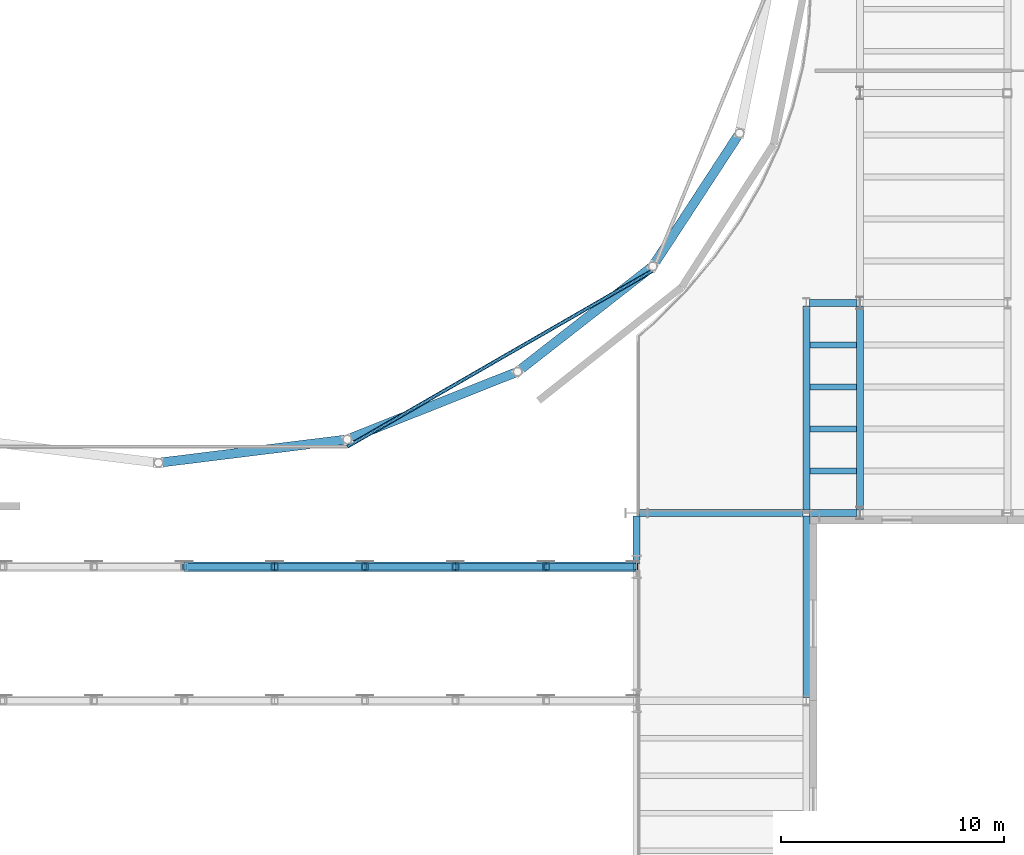
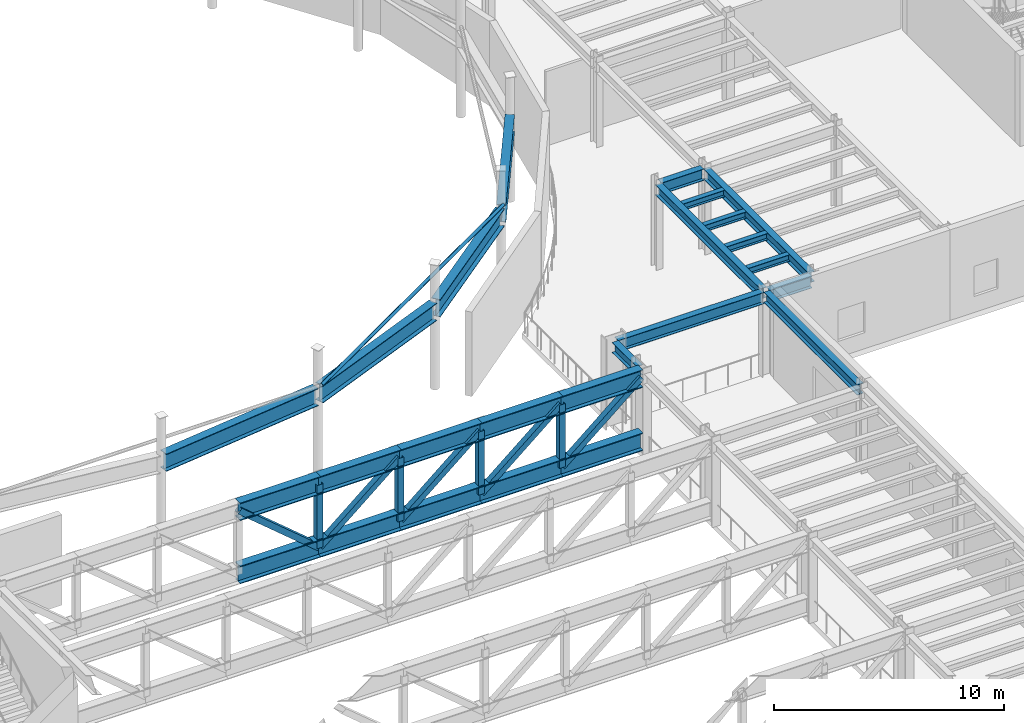
# One storey, part 31 of 91: 25 beams, 10 members.
"""IFC4 building model written with IfcOpenShell, lengths in metres."""

from ifc_helpers import new_model, si_unit, direction, frame, origin, origin_2d, place, context, subcontext, project, spatial, hollow_rectangle, hollow_circle, i_section, extrude, material, material_profile, profile_set, type_object, element, save


model = new_model("IFC4")

# Units and contexts
model_context = context("Model", 3, precision=1e-05, world=origin(), true_north=direction((0.0, 1.0)))
body_context = subcontext(model_context, "Body", "Model", "MODEL_VIEW")
ifc_project = project(units=[si_unit("LENGTHUNIT", "METRE"), si_unit("AREAUNIT", "SQUARE_METRE"), si_unit("VOLUMEUNIT", "CUBIC_METRE"), si_unit("PLANEANGLEUNIT", "RADIAN"), si_unit("MASSUNIT", "GRAM", prefix="KILO")], contexts=[model_context])

# Site, building, storey
site_placement = place(None, origin())
site = spatial("IfcSite", under=ifc_project, at=site_placement, CompositionType="ELEMENT")
building_placement = place(site_placement, origin())
building = spatial("IfcBuilding", under=site, at=building_placement, Name="Sollismere Congress Hotel", CompositionType="ELEMENT")
storey_placement = place(building_placement, frame((0.0, 0.0, 10.800048828125)))
storey = spatial("IfcBuildingStorey", under=building, at=storey_placement, Name="L02", CompositionType="ELEMENT", Elevation=10.800048828125)

# Beams
ifc_material_1 = material(Name="Steel ASTM A992 Grade 50", Category="steel")
ifc_material_profile_1 = material_profile(ifc_material_1, i_section(OverallWidth=0.31494140625, OverallDepth=0.551025390625, WebThickness=0.01513671875, FlangeThickness=0.0244140625, at=origin_2d()), Name="W21X122")
ifc_profile_set_1 = profile_set([ifc_material_profile_1], Name="Steel ASTM A992 Grade 50")
beam_type_1 = type_object("IfcBeamType", Name="BM-G21H", PredefinedType="BEAM", material=ifc_profile_set_1)
beam_1_placement = place(storey_placement, frame((50.39990234375, 64.5400390625, 4.224365234375), z_axis=(0.0, 1.0, 0.0), x_axis=(-1.0, 0.0, 0.0)))
element("IfcBeam", 1, at=beam_1_placement, inside=storey, type_object=beam_type_1, Name="Beam BM-L02-2077", PredefinedType="BEAM", context=body_context, shape_type="SweptSolid", body=[
    extrude(i_section(OverallWidth=0.31494140625, OverallDepth=0.551025390625, WebThickness=0.01513671875, FlangeThickness=0.0244140625, at=origin_2d()), origin(), (0.0, 0.0, 1.0), 2.119873046875),
])
beam_2_placement = place(storey_placement, frame((58.0, 58.5400390625, 4.224365234375), z_axis=(0.0, 1.0, 0.0), x_axis=(-1.0, 0.0, 0.0)))
element("IfcBeam", 2, at=beam_2_placement, inside=storey, type_object=beam_type_1, Name="Beam BM-L02-2083", PredefinedType="BEAM", context=body_context, shape_type="SweptSolid", body=[
    extrude(i_section(OverallWidth=0.31494140625, OverallDepth=0.551025390625, WebThickness=0.01513671875, FlangeThickness=0.0244140625, at=origin_2d()), origin(), (0.0, 0.0, 1.0), 8.119873046875),
])
for number, where, z_axis, x_axis, name in (
    (3, (58.0, 66.93994140625, 4.224365234375), (0.0, 1.0, 0.0), (-1.0, 0.0, 0.0), "Beam BM-L02-2084"),
    (4, (60.39990234375, 66.93994140625, 4.224365234375), (0.0, 1.0, 0.0), (-1.0, 0.0, 0.0), "Beam BM-L02-2085"),
):
    element("IfcBeam", number, at=place(storey_placement, frame(where, z_axis=z_axis, x_axis=x_axis)), inside=storey, type_object=beam_type_1, Name=name, PredefinedType="BEAM", context=body_context, shape_type="SweptSolid", body=[
        extrude(i_section(OverallWidth=0.31494140625, OverallDepth=0.551025390625, WebThickness=0.01513671875, FlangeThickness=0.0244140625, at=origin_2d()), origin(), (0.0, 0.0, 1.0), 9.1201171875),
    ])
ifc_material_profile_2 = material_profile(ifc_material_1, i_section(OverallWidth=0.324951171875, OverallDepth=0.612060546875, WebThickness=0.0126953125, FlangeThickness=0.01904296875, at=origin_2d()), Name="W24X104")
ifc_profile_set_2 = profile_set([ifc_material_profile_2], Name="Steel ASTM A992 Grade 50")
beam_type_2 = type_object("IfcBeamType", Name="BM-G24", PredefinedType="BEAM", material=ifc_profile_set_2)
beam_3_placement = place(storey_placement, frame((50.5400390625, 66.800048828125, 4.19384765625), z_axis=(1.0, 0.0, 0.0), x_axis=(0.0, 1.0, 0.0)))
element("IfcBeam", 5, at=beam_3_placement, inside=storey, type_object=beam_type_2, Name="Beam BM-L02-2023", PredefinedType="BEAM", context=body_context, shape_type="SweptSolid", body=[
    extrude(i_section(OverallWidth=0.324951171875, OverallDepth=0.612060546875, WebThickness=0.0126953125, FlangeThickness=0.01904296875, at=origin_2d()), origin(), (0.0, 0.0, 1.0), 7.320068359375),
])
for number, where, z_axis, x_axis, name in (
    (6, (58.139892578125, 66.800048828125, 4.19384765625), (1.0, 0.0, 0.0), (0.0, 1.0, 0.0), "Beam BM-L02-2024"),
    (7, (58.139892578125, 76.199951171875, 4.19384765625), (1.0, 0.0, 0.0), (0.0, 1.0, 0.0), "Beam BM-L02-2032"),
):
    element("IfcBeam", number, at=place(storey_placement, frame(where, z_axis=z_axis, x_axis=x_axis)), inside=storey, type_object=beam_type_2, Name=name, PredefinedType="BEAM", context=body_context, shape_type="SweptSolid", body=[
        extrude(i_section(OverallWidth=0.324951171875, OverallDepth=0.612060546875, WebThickness=0.0126953125, FlangeThickness=0.01904296875, at=origin_2d()), origin(), (0.0, 0.0, 1.0), 2.1201171875),
    ])
ifc_material_profile_3 = material_profile(ifc_material_1, i_section(OverallWidth=0.25390625, OverallDepth=0.35595703125, WebThickness=0.010498046875, FlangeThickness=0.018310546875, at=origin_2d()), Name="W14X68")
ifc_profile_set_3 = profile_set([ifc_material_profile_3], Name="Steel ASTM A992 Grade 50")
beam_type_3 = type_object("IfcBeamType", Name="BM-J14", PredefinedType="JOIST", material=ifc_profile_set_3)
for number, where, z_axis, x_axis, name in (
    (8, (58.157470703125, 68.679931640625, 4.322021484375), (1.0, 0.0, 0.0), (0.0, 1.0, 0.0), "Beam BM-L02-2190"),
    (9, (58.157470703125, 70.56005859375, 4.322021484375), (1.0, 0.0, 0.0), (0.0, 1.0, 0.0), "Beam BM-L02-2191"),
    (10, (58.157470703125, 72.43994140625, 4.322021484375), (1.0, 0.0, 0.0), (0.0, 1.0, 0.0), "Beam BM-L02-2192"),
    (11, (58.157470703125, 74.320068359375, 4.322021484375), (1.0, 0.0, 0.0), (0.0, 1.0, 0.0), "Beam BM-L02-2193"),
):
    element("IfcBeam", number, at=place(storey_placement, frame(where, z_axis=z_axis, x_axis=x_axis)), inside=storey, type_object=beam_type_3, Name=name, PredefinedType="JOIST", context=body_context, shape_type="SweptSolid", body=[
        extrude(i_section(OverallWidth=0.25390625, OverallDepth=0.35595703125, WebThickness=0.010498046875, FlangeThickness=0.018310546875, at=origin_2d()), origin(), (0.0, 0.0, 1.0), 2.0849609375),
    ])
ifc_material_profile_4 = material_profile(ifc_material_1, i_section(OverallWidth=0.4189453125, OverallDepth=0.927001953125, WebThickness=0.019287109375, FlangeThickness=0.031982421875, at=origin_2d()), Name="W36X231")
ifc_profile_set_4 = profile_set([ifc_material_profile_4], Name="Steel ASTM A992 Grade 50")
beam_type_4 = type_object("IfcBeamType", Name="BM-RG36", PredefinedType="SPANDREL", material=ifc_profile_set_4)
beam_4_placement = place(storey_placement, frame((29.119140625, 69.064697265625, 4.156494140625), z_axis=(0.992444891413, 0.122691228327, 0.0), x_axis=(-0.122691228327, 0.992444891413, 0.0)))
element("IfcBeam", 12, at=beam_4_placement, inside=storey, type_object=beam_type_4, Name="Beam BM-L02-4221", PredefinedType="SPANDREL", context=body_context, shape_type="SweptSolid", body=[
    extrude(i_section(OverallWidth=0.4189453125, OverallDepth=0.927001953125, WebThickness=0.019287109375, FlangeThickness=0.031982421875, at=origin_2d()), origin(), (0.0, 0.0, 1.0), 8.27587890625),
])
beam_5_placement = place(storey_placement, frame((37.56298828125, 70.139404296875, 4.156494140625), z_axis=(0.929208384376, 0.369556191134, 0.0), x_axis=(-0.369556191134, 0.929208384376, 0.0)))
element("IfcBeam", 13, at=beam_5_placement, inside=storey, type_object=beam_type_4, Name="Beam BM-L02-4222", PredefinedType="SPANDREL", context=body_context, shape_type="SweptSolid", body=[
    extrude(i_section(OverallWidth=0.4189453125, OverallDepth=0.927001953125, WebThickness=0.019287109375, FlangeThickness=0.031982421875, at=origin_2d()), origin(), (0.0, 0.0, 1.0), 7.96533203125),
])
beam_6_placement = place(storey_placement, frame((45.17041015625, 73.201416015625, 4.156494140625), z_axis=(0.788263734949, 0.615337536775, 0.0), x_axis=(-0.615337536775, 0.788263734949, 0.0)))
element("IfcBeam", 14, at=beam_6_placement, inside=storey, type_object=beam_type_4, Name="Beam BM-L02-4223", PredefinedType="SPANDREL", context=body_context, shape_type="SweptSolid", body=[
    extrude(i_section(OverallWidth=0.4189453125, OverallDepth=0.927001953125, WebThickness=0.019287109375, FlangeThickness=0.031982421875, at=origin_2d()), origin(), (0.0, 0.0, 1.0), 7.43603515625),
])
beam_7_placement = place(storey_placement, frame((51.192138671875, 77.951416015625, 4.156494140625), z_axis=(0.546609343854, 0.837387738871, 0.0), x_axis=(-0.837387738871, 0.546609343854, 0.0)))
element("IfcBeam", 15, at=beam_7_placement, inside=storey, type_object=beam_type_4, Name="Beam BM-L02-4224", PredefinedType="SPANDREL", context=body_context, shape_type="SweptSolid", body=[
    extrude(i_section(OverallWidth=0.4189453125, OverallDepth=0.927001953125, WebThickness=0.019287109375, FlangeThickness=0.031982421875, at=origin_2d()), origin(), (0.0, 0.0, 1.0), 6.8671875),
])
ifc_material_profile_5 = material_profile(ifc_material_1, i_section(OverallWidth=0.424072265625, OverallDepth=0.93994140625, WebThickness=0.02392578125, FlangeThickness=0.042724609375, at=origin_2d()), Name="W36X302")
ifc_profile_set_5 = profile_set([ifc_material_profile_5], Name="Steel ASTM A992 Grade 50")
beam_type_5 = type_object("IfcBeamType", Name="BM-TC36", PredefinedType="BEAM", material=ifc_profile_set_5)
for number, where, z_axis, x_axis, name in (
    (16, (30.14990234375, 64.39990234375, 4.030029296875), (1.0, 0.0, 0.0), (0.0, 1.0, 0.0), "Transfer truss chord BM-L02-4134"),
    (17, (30.14990234375, 64.39990234375, 0.679931640625), (1.0, 0.0, 0.0), (0.0, 1.0, 0.0), "Transfer truss chord BM-L02-4135"),
    (18, (34.199951171875, 64.39990234375, 4.030029296875), (1.0, 0.0, 0.0), (0.0, 1.0, 0.0), "Transfer truss chord BM-L02-4136"),
    (19, (34.199951171875, 64.39990234375, 0.679931640625), (1.0, 0.0, 0.0), (0.0, 1.0, 0.0), "Transfer truss chord BM-L02-4137"),
    (20, (38.25, 64.39990234375, 4.030029296875), (1.0, 0.0, 0.0), (0.0, 1.0, 0.0), "Transfer truss chord BM-L02-4138"),
    (21, (38.25, 64.39990234375, 0.679931640625), (1.0, 0.0, 0.0), (0.0, 1.0, 0.0), "Transfer truss chord BM-L02-4139"),
    (22, (42.300048828125, 64.39990234375, 4.030029296875), (1.0, 0.0, 0.0), (0.0, 1.0, 0.0), "Transfer truss chord BM-L02-4140"),
    (23, (42.300048828125, 64.39990234375, 0.679931640625), (1.0, 0.0, 0.0), (0.0, 1.0, 0.0), "Transfer truss chord BM-L02-4141"),
):
    element("IfcBeam", number, at=place(storey_placement, frame(where, z_axis=z_axis, x_axis=x_axis)), inside=storey, type_object=beam_type_5, Name=name, PredefinedType="BEAM", context=body_context, shape_type="SweptSolid", body=[
        extrude(i_section(OverallWidth=0.424072265625, OverallDepth=0.93994140625, WebThickness=0.02392578125, FlangeThickness=0.042724609375, at=origin_2d()), origin(), (0.0, 0.0, 1.0), 4.050048828125),
    ])
for number, where, z_axis, x_axis, name in (
    (24, (46.35009765625, 64.39990234375, 4.030029296875), (1.0, 0.0, 0.0), (0.0, 1.0, 0.0), "Transfer truss chord BM-L02-4142"),
    (25, (46.35009765625, 64.39990234375, 0.679931640625), (1.0, 0.0, 0.0), (0.0, 1.0, 0.0), "Transfer truss chord BM-L02-4143"),
):
    element("IfcBeam", number, at=place(storey_placement, frame(where, z_axis=z_axis, x_axis=x_axis)), inside=storey, type_object=beam_type_5, Name=name, PredefinedType="BEAM", context=body_context, shape_type="SweptSolid", body=[
        extrude(i_section(OverallWidth=0.424072265625, OverallDepth=0.93994140625, WebThickness=0.02392578125, FlangeThickness=0.042724609375, at=origin_2d()), origin(), (0.0, 0.0, 1.0), 4.010009765625),
    ])

# Members
ifc_material_2 = material(Name="Steel ASTM A500 Grade C", Category="steel")
ifc_material_profile_6 = material_profile(ifc_material_2, hollow_rectangle(XDim=0.300048828125, YDim=0.300048828125, WallThickness=0.011962890625, at=origin_2d()), Name="HSS300X300X12")
ifc_profile_set_6 = profile_set([ifc_material_profile_6], Name="Steel ASTM A500 Grade C")
member_type_1 = type_object("IfcMemberType", Name="MB-BR300", PredefinedType="BRACE", material=ifc_profile_set_6)
for number, where, z_axis, x_axis, name in (
    (26, (30.179931640625, 64.39990234375, 4.030029296875), (0.765846088126, 0.0, -0.643023925917), (0.0, 1.0, 0.0), "MBT-64 diagonal brace"),
    (27, (34.22998046875, 64.39990234375, 0.679931640625), (0.765846088126, 0.0, 0.643023925917), (0.0, 1.0, 0.0), "MBT-65 diagonal brace"),
    (28, (38.280029296875, 64.39990234375, 0.679931640625), (0.765846088126, 0.0, 0.643023925917), (0.0, 1.0, 0.0), "MBT-66 diagonal brace"),
    (29, (42.330078125, 64.39990234375, 0.679931640625), (0.765846088126, 0.0, 0.643023925917), (0.0, 1.0, 0.0), "MBT-67 diagonal brace"),
):
    element("IfcMember", number, at=place(storey_placement, frame(where, z_axis=z_axis, x_axis=x_axis)), inside=storey, type_object=member_type_1, Name=name, PredefinedType="BRACE", context=body_context, shape_type="SweptSolid", body=[
        extrude(hollow_rectangle(XDim=0.300048828125, YDim=0.300048828125, WallThickness=0.011962890625, at=origin_2d()), origin(), (0.0, 0.0, 1.0), 5.2099609375),
    ])
member_1_placement = place(storey_placement, frame((46.3798828125, 64.39990234375, 0.679931640625), z_axis=(0.765069376862, 0.0, 0.6439478617), x_axis=(0.0, 1.0, 0.0)))
element("IfcMember", 30, at=member_1_placement, inside=storey, type_object=member_type_1, Name="MBT-68 diagonal brace", PredefinedType="BRACE", context=body_context, shape_type="SweptSolid", body=[
    extrude(hollow_rectangle(XDim=0.300048828125, YDim=0.300048828125, WallThickness=0.011962890625, at=origin_2d()), origin(), (0.0, 0.0, 1.0), 5.202392578125),
])
ifc_material_profile_7 = material_profile(ifc_material_2, hollow_rectangle(XDim=0.300048828125, YDim=0.300048828125, WallThickness=0.011962890625, at=origin_2d()), Name="HSS300X300X12")
ifc_profile_set_7 = profile_set([ifc_material_profile_7], Name="Steel ASTM A500 Grade C")
member_type_2 = type_object("IfcMemberType", Name="MB-ST300", PredefinedType="STRUT", material=ifc_profile_set_7)
for number, where, z_axis, x_axis, name in (
    (31, (34.199951171875, 64.39990234375, 0.679931640625), (0.0, 0.0, 1.0), (1.0, 0.0, 0.0), "MVT-64 transfer truss strut"),
    (32, (38.25, 64.39990234375, 0.679931640625), (0.0, 0.0, 1.0), (1.0, 0.0, 0.0), "MVT-65 transfer truss strut"),
    (33, (42.300048828125, 64.39990234375, 0.679931640625), (0.0, 0.0, 1.0), (1.0, 0.0, 0.0), "MVT-66 transfer truss strut"),
    (34, (46.35009765625, 64.39990234375, 0.679931640625), (0.0, 0.0, 1.0), (1.0, 0.0, 0.0), "MVT-67 transfer truss strut"),
):
    element("IfcMember", number, at=place(storey_placement, frame(where, z_axis=z_axis, x_axis=x_axis)), inside=storey, type_object=member_type_2, Name=name, PredefinedType="STRUT", context=body_context, shape_type="SweptSolid", body=[
        extrude(hollow_rectangle(XDim=0.300048828125, YDim=0.300048828125, WallThickness=0.011962890625, at=origin_2d()), origin(), (0.0, 0.0, 1.0), 3.35009765625),
    ])
ifc_material_profile_8 = material_profile(ifc_material_2, hollow_circle(Radius=0.083984375, WallThickness=0.008056640625, at=origin_2d()), Name="CHS168X8")
ifc_profile_set_8 = profile_set([ifc_material_profile_8], Name="Steel ASTM A500 Grade C")
member_type_3 = type_object("IfcMemberType", Name="MB-TI168", PredefinedType="STRINGER", material=ifc_profile_set_8)
member_2_placement = place(storey_placement, frame((37.45068359375, 69.7724609375, 4.820068359375), z_axis=(0.86644482434, 0.499272837609, 0.0), x_axis=(-0.499272837609, 0.86644482434, 0.0)))
element("IfcMember", 35, at=member_2_placement, inside=storey, type_object=member_type_3, Name="MEM-DT-09", PredefinedType="STRINGER", context=body_context, shape_type="SweptSolid", body=[
    extrude(hollow_circle(Radius=0.083984375, WallThickness=0.008056640625, at=origin_2d()), origin(), (0.0, 0.0, 1.0), 15.78125),
])

save(model, "model.ifc")
